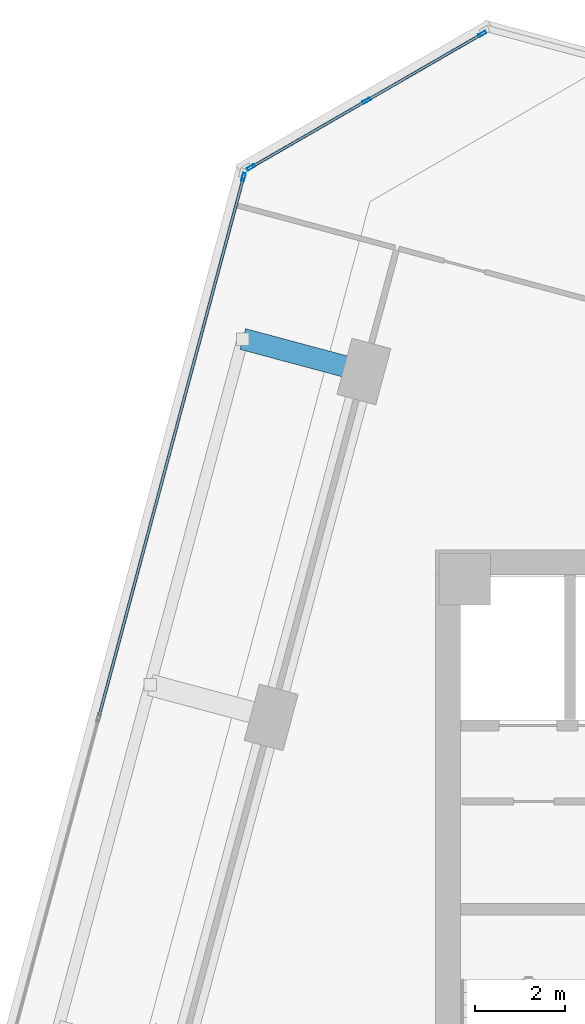
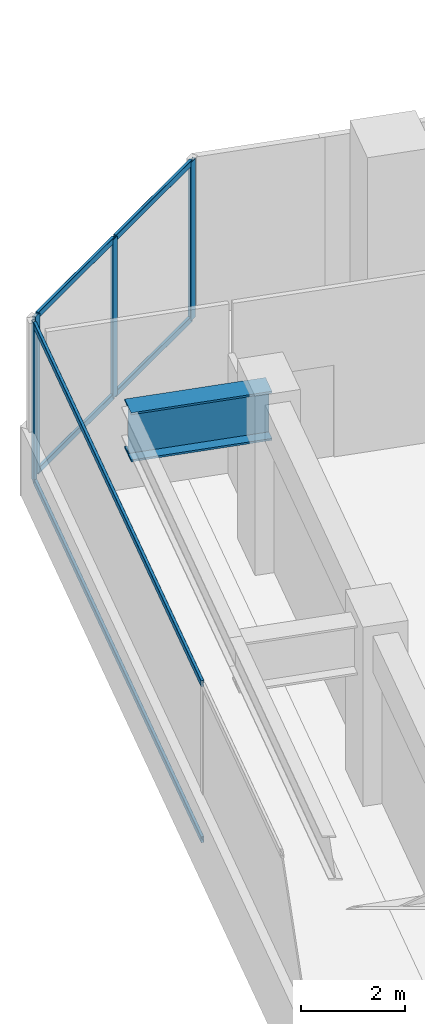
# One storey, part 12 of 26: 10 members, 1 beam, 2 elements without a shape of their own.
"""IFC4 building model written with IfcOpenShell, lengths in metres."""

from ifc_helpers import new_model, si_unit, direction, frame, origin, origin_2d, place, context, subcontext, project, spatial, hollow_rectangle, i_section, extrude, source, transform, mapped, material, material_profile, profile_set, type_object, element, aggregate, save


model = new_model("IFC4")

# Units and contexts
model_context = context("Model", 3, precision=1e-05, world=origin(), true_north=direction((0.0, 1.0)))
body_context = subcontext(model_context, "Body", "Model", "MODEL_VIEW")
ifc_project = project(units=[si_unit("LENGTHUNIT", "METRE"), si_unit("AREAUNIT", "SQUARE_METRE"), si_unit("VOLUMEUNIT", "CUBIC_METRE"), si_unit("PLANEANGLEUNIT", "RADIAN"), si_unit("MASSUNIT", "GRAM", prefix="KILO")], contexts=[model_context])

# Site, building, storey
site_placement = place(None, origin())
site = spatial("IfcSite", under=ifc_project, at=site_placement, CompositionType="ELEMENT")
building_placement = place(site_placement, origin())
building = spatial("IfcBuilding", under=site, at=building_placement, Name="Torre Montelarca", CompositionType="ELEMENT")
storey_placement = place(building_placement, frame((0.0, 0.0, 100.0)))
storey = spatial("IfcBuildingStorey", under=building, at=storey_placement, Name="L22", CompositionType="ELEMENT", Elevation=100.0)

# Beam
ifc_material_1 = material(Name="Steel ASTM A572 Grade 50", Category="steel")
ifc_material_profile_1 = material_profile(ifc_material_1, i_section(OverallWidth=0.47998046875, OverallDepth=1.14990234375, WebThickness=0.02197265625, FlangeThickness=0.044921875, at=origin_2d()), Name="PG1150X480X22X45", Category="steel")
ifc_profile_set_1 = profile_set([ifc_material_profile_1], Name="Steel ASTM A572 Grade 50")
beam_type = type_object("IfcBeamType", Name="BM-CG-PG1400-EXT", PredefinedType="USERDEFINED", material=ifc_profile_set_1)
shared_shape_1 = source(origin(), body_context, "Body", "SweptSolid", [
    extrude(i_section(OverallWidth=0.47998046875, OverallDepth=1.14990234375, WebThickness=0.02197265625, FlangeThickness=0.044921875, at=origin_2d()), origin(), (0.0, 0.0, 1.0), 2.800048828125),
])
beam_placement = place(storey_placement, frame((7.294677734375, 44.08837890625, 3.385009765625), z_axis=(-0.965911463294, 0.258872642582, 0.0), x_axis=(-0.258872642582, -0.965911463294, 0.0)))
element("IfcBeam", 1, at=beam_placement, inside=storey, type_object=beam_type, Name="L22 Sliding Tray Cantilever Girder West Y=40.0m (FLR)", ObjectType="CANTILEVER GIRDER", PredefinedType="USERDEFINED", context=body_context, shape_type="MappedRepresentation", body=[
    mapped(shared_shape_1, transform((0.0, 0.0, 0.0), scale=1.0)),
])

# Curtain wall, members
ifc_material_2 = material(Name="Insulated low-E laminated glass", Category="glass")
curtain_wall_type = type_object("IfcCurtainWallType", Name="CW-SYS-Z1", PredefinedType="USERDEFINED", material=ifc_material_2)
curtain_wall_1_placement = place(storey_placement, origin())
curtain_wall_1 = element("IfcCurtainWall", 2, at=curtain_wall_1_placement, inside=storey, type_object=curtain_wall_type, Name="L22 Curtain Wall Run CW-T3-L22-E09-B1", ObjectType="UNITISED GLAZING", PredefinedType="USERDEFINED")
ifc_material_3 = material(Name="Anodised aluminium AA 6063-T6", Category="aluminium")
ifc_material_profile_2 = material_profile(ifc_material_3, hollow_rectangle(XDim=0.06494140625, YDim=0.139892578125, WallThickness=0.00390625, InnerFilletRadius=0.00390625, OuterFilletRadius=0.008056640625, at=origin_2d()), Name="ALU65X140X4", Category="aluminium")
ifc_profile_set_2 = profile_set([ifc_material_profile_2], Name="Anodised aluminium AA 6063-T6")
member_type_1 = type_object("IfcMemberType", Name="CWT-ALU140", PredefinedType="USERDEFINED", material=ifc_profile_set_2)
shared_shape_2 = source(origin(), body_context, "Body", "SweptSolid", [
    extrude(hollow_rectangle(XDim=0.06494140625, YDim=0.139892578125, WallThickness=0.00390625, InnerFilletRadius=0.00390625, OuterFilletRadius=0.008056640625, at=origin_2d()), origin(), (0.0, 0.0, 1.0), 2.9189453125),
])
member_1_placement = place(storey_placement, frame((7.326171875, 50.12109375, 0.032470703125), z_axis=(-0.866021227388, -0.500007233661, 0.0), x_axis=(0.500007233661, -0.866021227388, 0.0)))
member_1 = element("IfcMember", 3, at=member_1_placement, type_object=member_type_1, Name="CW transom 2.1", ObjectType="TRANSOM", PredefinedType="USERDEFINED", context=body_context, shape_type="MappedRepresentation", body=[
    mapped(shared_shape_2, transform((0.0, 0.0, 0.0), scale=1.0)),
])
member_2_placement = place(storey_placement, frame((7.326171875, 50.12109375, 3.6875), z_axis=(-0.866021227388, -0.500007233661, 0.0), x_axis=(0.500007233661, -0.866021227388, 0.0)))
member_2 = element("IfcMember", 4, at=member_2_placement, type_object=member_type_1, Name="CW transom 2.2", ObjectType="TRANSOM", PredefinedType="USERDEFINED", context=body_context, shape_type="MappedRepresentation", body=[
    mapped(shared_shape_2, transform((0.0, 0.0, 0.0), scale=1.0)),
])
shared_shape_3 = source(origin(), body_context, "Body", "SweptSolid", [
    extrude(hollow_rectangle(XDim=0.06494140625, YDim=0.139892578125, WallThickness=0.00390625, InnerFilletRadius=0.00390625, OuterFilletRadius=0.008056640625, at=origin_2d()), origin(), (0.0, 0.0, 1.0), 2.91845703125),
])
member_3_placement = place(storey_placement, frame((9.909912109375, 51.61279296875, 0.032470703125), z_axis=(-0.866036535882, -0.499980718146, 0.0), x_axis=(0.499980718146, -0.866036535882, 0.0)))
member_3 = element("IfcMember", 5, at=member_3_placement, type_object=member_type_1, Name="CW transom 1.1", ObjectType="TRANSOM", PredefinedType="USERDEFINED", context=body_context, shape_type="MappedRepresentation", body=[
    mapped(shared_shape_3, transform((0.0, 0.0, 0.0), scale=1.0)),
])
member_4_placement = place(storey_placement, frame((9.909912109375, 51.61279296875, 3.6875), z_axis=(-0.866036535882, -0.499980718146, 0.0), x_axis=(0.499980718146, -0.866036535882, 0.0)))
member_4 = element("IfcMember", 6, at=member_4_placement, type_object=member_type_1, Name="CW transom 1.2", ObjectType="TRANSOM", PredefinedType="USERDEFINED", context=body_context, shape_type="MappedRepresentation", body=[
    mapped(shared_shape_3, transform((0.0, 0.0, 0.0), scale=1.0)),
])

curtain_wall_2_placement = place(storey_placement, origin())
curtain_wall_2 = element("IfcCurtainWall", 7, at=curtain_wall_2_placement, inside=storey, type_object=curtain_wall_type, Name="L22 Curtain Wall Run CW-T3-L22-E10-B1", ObjectType="UNITISED GLAZING", PredefinedType="USERDEFINED")
shared_shape_4 = source(origin(), body_context, "Body", "SweptSolid", [
    extrude(hollow_rectangle(XDim=0.06494140625, YDim=0.139892578125, WallThickness=0.00390625, InnerFilletRadius=0.00390625, OuterFilletRadius=0.008056640625, at=origin_2d()), origin(), (0.0, 0.0, 1.0), 12.4365234375),
])
member_5_placement = place(storey_placement, frame((4.599365234375, 48.402099609375, 0.032470703125), z_axis=(-0.258834209486, -0.965921762877, 0.0), x_axis=(0.965921762877, -0.258834209486, 0.0)))
member_5 = element("IfcMember", 8, at=member_5_placement, type_object=member_type_1, Name="CW transom 1.1", ObjectType="TRANSOM", PredefinedType="USERDEFINED", context=body_context, shape_type="MappedRepresentation", body=[
    mapped(shared_shape_4, transform((0.0, 0.0, 0.0), scale=1.0)),
])
member_6_placement = place(storey_placement, frame((4.599365234375, 48.402099609375, 3.6875), z_axis=(-0.258834209486, -0.965921762877, 0.0), x_axis=(0.965921762877, -0.258834209486, 0.0)))
member_6 = element("IfcMember", 9, at=member_6_placement, type_object=member_type_1, Name="CW transom 1.2", ObjectType="TRANSOM", PredefinedType="USERDEFINED", context=body_context, shape_type="MappedRepresentation", body=[
    mapped(shared_shape_4, transform((0.0, 0.0, 0.0), scale=1.0)),
])

# Member
ifc_material_profile_3 = material_profile(ifc_material_3, hollow_rectangle(XDim=0.06494140625, YDim=0.179931640625, WallThickness=0.00390625, InnerFilletRadius=0.00390625, OuterFilletRadius=0.008056640625, at=origin_2d()), Name="ALU65X180X4", Category="aluminium")
ifc_profile_set_3 = profile_set([ifc_material_profile_3], Name="Anodised aluminium AA 6063-T6")
member_type_2 = type_object("IfcMemberType", Name="CWM-ALU180", PredefinedType="MULLION", material=ifc_profile_set_3)
shared_shape_5 = source(origin(), body_context, "Body", "SweptSolid", [
    extrude(hollow_rectangle(XDim=0.06494140625, YDim=0.179931640625, WallThickness=0.00390625, InnerFilletRadius=0.00390625, OuterFilletRadius=0.008056640625, at=origin_2d()), origin(), (0.0, 0.0, 1.0), 3.719970703125),
])
member_7_placement = place(storey_placement, frame((9.938232421875, 51.629150390625, 0.0), z_axis=(0.0, 0.0, 1.0), x_axis=(0.50000083595, -0.866024921148, 0.0)))
member_7 = element("IfcMember", 10, at=member_7_placement, type_object=member_type_2, Name="CW mullion 1", PredefinedType="MULLION", context=body_context, shape_type="MappedRepresentation", body=[
    mapped(shared_shape_5, transform((0.0, 0.0, 0.0), scale=1.0)),
])

member_8_placement = place(storey_placement, frame((7.354248046875, 50.13720703125, 0.0), z_axis=(0.0, 0.0, 1.0), x_axis=(0.50000083595, -0.866024921148, 0.0)))
member_8 = element("IfcMember", 11, at=member_8_placement, type_object=member_type_2, Name="CW mullion 2", PredefinedType="MULLION", context=body_context, shape_type="MappedRepresentation", body=[
    mapped(shared_shape_5, transform((0.0, 0.0, 0.0), scale=1.0)),
])

member_9_placement = place(storey_placement, frame((4.770263671875, 48.6455078125, 0.0), z_axis=(0.0, 0.0, 1.0), x_axis=(0.50000083595, -0.866024921148, 0.0)))
member_9 = element("IfcMember", 12, at=member_9_placement, type_object=member_type_2, Name="CW mullion 3", PredefinedType="MULLION", context=body_context, shape_type="MappedRepresentation", body=[
    mapped(shared_shape_5, transform((0.0, 0.0, 0.0), scale=1.0)),
])

aggregate(curtain_wall_1, [member_7, member_8, member_9, member_3, member_4, member_1, member_2])

member_10_placement = place(storey_placement, frame((4.607666015625, 48.43359375, 0.0), z_axis=(0.0, 0.0, 1.0), x_axis=(0.965926043153, -0.258818235755, 0.0)))
member_10 = element("IfcMember", 13, at=member_10_placement, type_object=member_type_2, Name="CW mullion 1", PredefinedType="MULLION", context=body_context, shape_type="MappedRepresentation", body=[
    mapped(shared_shape_5, transform((0.0, 0.0, 0.0), scale=1.0)),
])

aggregate(curtain_wall_2, [member_10, member_5, member_6])

save(model, "model.ifc")
